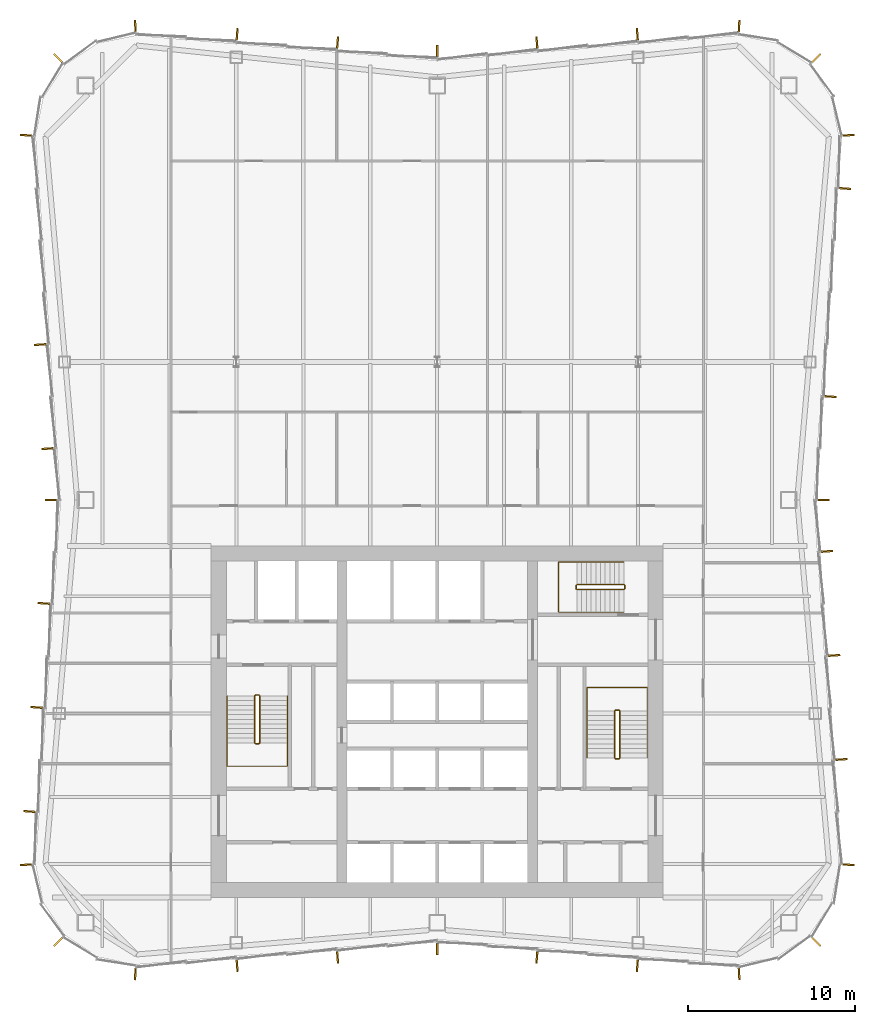
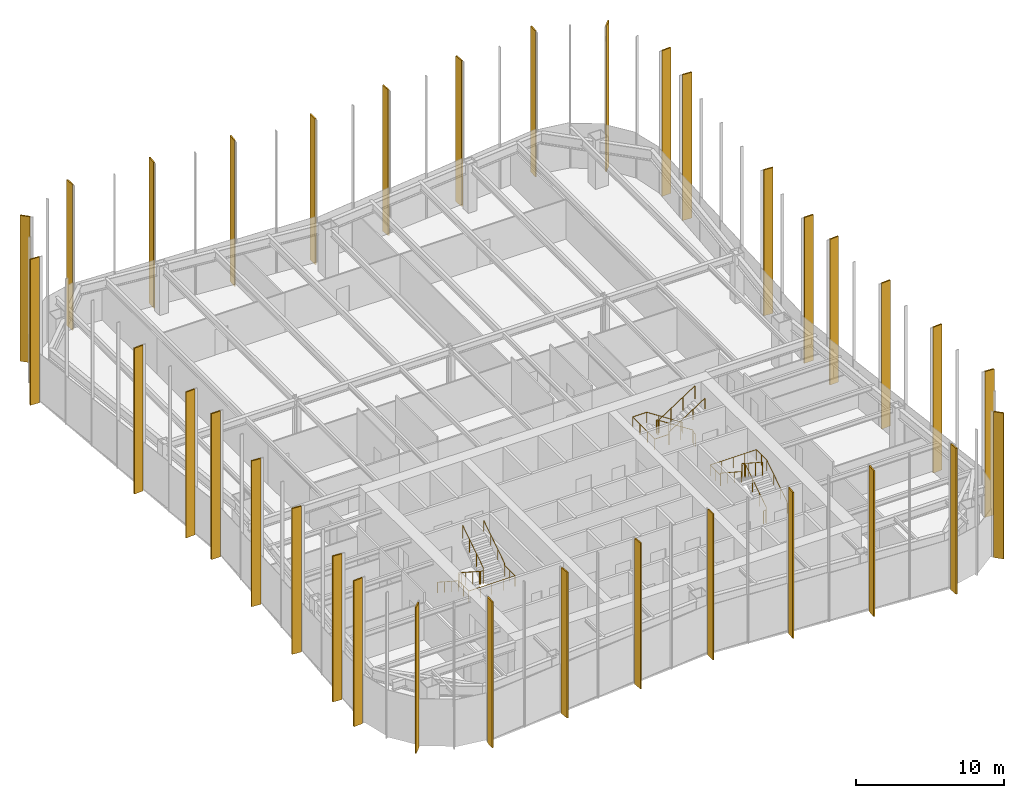
# One storey, part 13 of 13: 34 shading devices, 6 railings.
"""IFC4 building model written with IfcOpenShell, lengths in metres."""

from ifc_helpers import new_model, si_unit, direction, frame, origin, origin_2d, place, context, subcontext, project, spatial, rectangle, circle, extrude, material, layer, layer_set, type_object, element, save


model = new_model("IFC4")

# Units and contexts
model_context = context("Model", 3, precision=1e-05, world=origin(), true_north=direction((0.0, 1.0)))
body_context = subcontext(model_context, "Body", "Model", "MODEL_VIEW")
ifc_project = project(units=[si_unit("LENGTHUNIT", "METRE"), si_unit("AREAUNIT", "SQUARE_METRE"), si_unit("VOLUMEUNIT", "CUBIC_METRE"), si_unit("PLANEANGLEUNIT", "RADIAN"), si_unit("MASSUNIT", "GRAM", prefix="KILO")], contexts=[model_context])

# Site, building, storey
site_placement = place(None, origin())
site = spatial("IfcSite", under=ifc_project, at=site_placement, CompositionType="ELEMENT")
building_placement = place(site_placement, origin())
building = spatial("IfcBuilding", under=site, at=building_placement, Name="Verdant Reach Tower", CompositionType="ELEMENT")
storey_placement = place(building_placement, frame((0.0, 0.0, 182.0)))
storey = spatial("IfcBuildingStorey", under=building, at=storey_placement, Name="L41", CompositionType="ELEMENT", Elevation=182.0)

# Railings
ifc_material_1 = material(Name="Stainless steel", Category="steel")
railing_type_1 = type_object("IfcRailingType", Name="CO-GUARD", PredefinedType="GUARDRAIL", material=ifc_material_1)
railing_1_placement = place(storey_placement, frame((-10.64990234375, 29.60009765625, 0.0)))
element("IfcRailing", 1, at=railing_1_placement, inside=storey, type_object=railing_type_1, Name="L41 ST-1 stair guard 1", PredefinedType="GUARDRAIL", context=body_context, shape_type="SweptSolid", body=[
    extrude(circle(Radius=0.02392578125, at=origin_2d()), frame((0.0, 0.0, 1.076171875), z_axis=(-1.0, 0.0, 0.0), x_axis=(0.0, -1.0, 0.0)), (0.0, 0.0, 1.0), 0.2001953125),
    extrude(circle(Radius=0.02392578125, at=origin_2d()), frame((-0.2001953125, 0.0, 1.076171875), z_axis=(-0.25526617399, -0.256517478764, 0.932222056972), x_axis=(0.708833529934, -0.705375805398, 0.0)), (0.0, 0.0, 1.0), 0.195068359375),
    extrude(circle(Radius=0.02392578125, at=origin_2d()), frame((-0.25, -0.050048828125, 1.2578125), z_axis=(0.0, -0.838705829183, 0.544584733623), x_axis=(1.0, 0.0, 0.0)), (0.0, 0.0, 1.0), 3.338623046875),
    extrude(circle(Radius=0.02392578125, at=origin_2d()), frame((-0.25, -2.85009765625, 3.076171875), z_axis=(0.705375805398, -0.708833529934, 0.0), x_axis=(0.708833529934, 0.705375805398, 0.0)), (0.0, 0.0, 1.0), 0.070556640625),
    extrude(circle(Radius=0.02392578125, at=origin_2d()), frame((-0.2001953125, -2.900146484375, 3.076171875), z_axis=(1.0, 0.0, 0.0), x_axis=(0.0, 1.0, 0.0)), (0.0, 0.0, 1.0), 0.2001953125),
    extrude(circle(Radius=0.02392578125, at=origin_2d()), frame((0.0, -2.900146484375, 3.076171875), z_axis=(0.25526617399, 0.256517478764, 0.932222056972), x_axis=(-0.708833529934, 0.705375805398, 0.0)), (0.0, 0.0, 1.0), 0.195068359375),
    extrude(circle(Radius=0.02392578125, at=origin_2d()), frame((0.0498046875, -2.85009765625, 3.2578125), z_axis=(0.0, 0.838705829183, 0.544584733623), x_axis=(-1.0, 0.0, 0.0)), (0.0, 0.0, 1.0), 3.338623046875),
    extrude(circle(Radius=0.02099609375, at=origin_2d()), origin(), (0.0, 0.0, 1.0), 1.052001953125),
    extrude(circle(Radius=0.02099609375, at=origin_2d()), frame((-0.2001953125, 0.0, 0.0)), (0.0, 0.0, 1.0), 1.052001953125),
    extrude(circle(Radius=0.02099609375, at=origin_2d()), frame((-0.25, -0.050048828125, 0.181884765625)), (0.0, 0.0, 1.0), 1.052001953125),
    extrude(circle(Radius=0.02099609375, at=origin_2d()), frame((-0.25, -0.9833984375, 0.787841796875)), (0.0, 0.0, 1.0), 1.052001953125),
    extrude(circle(Radius=0.02099609375, at=origin_2d()), frame((-0.25, -1.916748046875, 1.39404296875)), (0.0, 0.0, 1.0), 1.052001953125),
    extrude(circle(Radius=0.02099609375, at=origin_2d()), frame((-0.25, -2.85009765625, 2.0)), (0.0, 0.0, 1.0), 1.052001953125),
    extrude(circle(Radius=0.02099609375, at=origin_2d()), frame((-0.2001953125, -2.900146484375, 2.0)), (0.0, 0.0, 1.0), 1.052001953125),
    extrude(circle(Radius=0.02099609375, at=origin_2d()), frame((0.0, -2.900146484375, 2.0)), (0.0, 0.0, 1.0), 1.052001953125),
    extrude(circle(Radius=0.02099609375, at=origin_2d()), frame((0.0498046875, -2.85009765625, 2.181884765625)), (0.0, 0.0, 1.0), 1.052001953125),
    extrude(circle(Radius=0.02099609375, at=origin_2d()), frame((0.0498046875, -1.916748046875, 2.787841796875)), (0.0, 0.0, 1.0), 1.052001953125),
    extrude(circle(Radius=0.02099609375, at=origin_2d()), frame((0.0498046875, -0.9833984375, 3.39404296875)), (0.0, 0.0, 1.0), 1.052001953125),
    extrude(circle(Radius=0.02099609375, at=origin_2d()), frame((0.0498046875, -0.050048828125, 4.0)), (0.0, 0.0, 1.0), 1.052001953125),
])
railing_2_placement = place(storey_placement, frame((10.64990234375, 25.800048828125, 0.0)))
element("IfcRailing", 2, at=railing_2_placement, inside=storey, type_object=railing_type_1, Name="L41 ST-2 stair guard 1", PredefinedType="GUARDRAIL", context=body_context, shape_type="SweptSolid", body=[
    extrude(circle(Radius=0.02392578125, at=origin_2d()), frame((0.0, 0.0, 1.076171875), z_axis=(1.0, 0.0, 0.0), x_axis=(0.0, 1.0, 0.0)), (0.0, 0.0, 1.0), 0.2001953125),
    extrude(circle(Radius=0.02392578125, at=origin_2d()), frame((0.2001953125, 0.0, 1.076171875), z_axis=(0.25526617399, 0.256517478764, 0.932222056972), x_axis=(-0.708833529934, 0.705375805398, 0.0)), (0.0, 0.0, 1.0), 0.195068359375),
    extrude(circle(Radius=0.02392578125, at=origin_2d()), frame((0.25, 0.050048828125, 1.2578125), z_axis=(0.0, 0.83868413941, 0.544618136222), x_axis=(-1.0, 0.0, 0.0)), (0.0, 0.0, 1.0), 3.33837890625),
    extrude(circle(Radius=0.02392578125, at=origin_2d()), frame((0.25, 2.849853515625, 3.076171875), z_axis=(-0.705375805398, 0.708833529934, 0.0), x_axis=(-0.708833529934, -0.705375805398, 0.0)), (0.0, 0.0, 1.0), 0.070556640625),
    extrude(circle(Radius=0.02392578125, at=origin_2d()), frame((0.2001953125, 2.89990234375, 3.076171875), z_axis=(-1.0, 0.0, 0.0), x_axis=(0.0, -1.0, 0.0)), (0.0, 0.0, 1.0), 0.2001953125),
    extrude(circle(Radius=0.02392578125, at=origin_2d()), frame((0.0, 2.89990234375, 3.076171875), z_axis=(-0.25526617399, -0.256517478764, 0.932222056972), x_axis=(0.708833529934, -0.705375805398, 0.0)), (0.0, 0.0, 1.0), 0.195068359375),
    extrude(circle(Radius=0.02392578125, at=origin_2d()), frame((-0.0498046875, 2.849853515625, 3.2578125), z_axis=(0.0, -0.83868413941, 0.544618136222), x_axis=(1.0, 0.0, 0.0)), (0.0, 0.0, 1.0), 3.33837890625),
    extrude(circle(Radius=0.02099609375, at=origin_2d()), origin(), (0.0, 0.0, 1.0), 1.052001953125),
    extrude(circle(Radius=0.02099609375, at=origin_2d()), frame((0.2001953125, 0.0, 0.0)), (0.0, 0.0, 1.0), 1.052001953125),
    extrude(circle(Radius=0.02099609375, at=origin_2d()), frame((0.25, 0.050048828125, 0.181884765625)), (0.0, 0.0, 1.0), 1.052001953125),
    extrude(circle(Radius=0.02099609375, at=origin_2d()), frame((0.25, 0.9833984375, 0.787841796875)), (0.0, 0.0, 1.0), 1.052001953125),
    extrude(circle(Radius=0.02099609375, at=origin_2d()), frame((0.25, 1.91650390625, 1.39404296875)), (0.0, 0.0, 1.0), 1.052001953125),
    extrude(circle(Radius=0.02099609375, at=origin_2d()), frame((0.25, 2.849853515625, 2.0)), (0.0, 0.0, 1.0), 1.052001953125),
    extrude(circle(Radius=0.02099609375, at=origin_2d()), frame((0.2001953125, 2.89990234375, 2.0)), (0.0, 0.0, 1.0), 1.052001953125),
    extrude(circle(Radius=0.02099609375, at=origin_2d()), frame((0.0, 2.89990234375, 2.0)), (0.0, 0.0, 1.0), 1.052001953125),
    extrude(circle(Radius=0.02099609375, at=origin_2d()), frame((-0.0498046875, 2.849853515625, 2.181884765625)), (0.0, 0.0, 1.0), 1.052001953125),
    extrude(circle(Radius=0.02099609375, at=origin_2d()), frame((-0.0498046875, 1.91650390625, 2.787841796875)), (0.0, 0.0, 1.0), 1.052001953125),
    extrude(circle(Radius=0.02099609375, at=origin_2d()), frame((-0.0498046875, 0.9833984375, 3.39404296875)), (0.0, 0.0, 1.0), 1.052001953125),
    extrude(circle(Radius=0.02099609375, at=origin_2d()), frame((-0.0498046875, 0.050048828125, 4.0)), (0.0, 0.0, 1.0), 1.052001953125),
])
railing_3_placement = place(storey_placement, frame((11.199951171875, 35.949951171875, 0.0)))
element("IfcRailing", 3, at=railing_3_placement, inside=storey, type_object=railing_type_1, Name="L41 ST-3 stair guard 1", PredefinedType="GUARDRAIL", context=body_context, shape_type="SweptSolid", body=[
    extrude(circle(Radius=0.02392578125, at=origin_2d()), frame((0.0, 0.0, 1.076171875), z_axis=(0.0, 1.0, 0.0), x_axis=(-1.0, 0.0, 0.0)), (0.0, 0.0, 1.0), 0.199951171875),
    extrude(circle(Radius=0.02392578125, at=origin_2d()), frame((0.0, 0.199951171875, 1.076171875), z_axis=(-0.256435381639, 0.256435381639, 0.931923704005), x_axis=(-0.707106781187, -0.707106781187, 0.0)), (0.0, 0.0, 1.0), 0.195068359375),
    extrude(circle(Radius=0.02392578125, at=origin_2d()), frame((-0.050048828125, 0.25, 1.2578125), z_axis=(-0.83868413941, 0.0, 0.544618136222), x_axis=(0.0, -1.0, 0.0)), (0.0, 0.0, 1.0), 3.33837890625),
    extrude(circle(Radius=0.02392578125, at=origin_2d()), frame((-2.849853515625, 0.25, 3.076171875), z_axis=(-0.707106781187, -0.707106781187, 0.0), x_axis=(0.707106781187, -0.707106781187, 0.0)), (0.0, 0.0, 1.0), 0.07080078125),
    extrude(circle(Radius=0.02392578125, at=origin_2d()), frame((-2.89990234375, 0.199951171875, 3.076171875), z_axis=(0.0, -1.0, 0.0), x_axis=(1.0, 0.0, 0.0)), (0.0, 0.0, 1.0), 0.199951171875),
    extrude(circle(Radius=0.02392578125, at=origin_2d()), frame((-2.89990234375, 0.0, 3.076171875), z_axis=(0.256435381639, -0.256435381639, 0.931923704005), x_axis=(0.707106781187, 0.707106781187, 0.0)), (0.0, 0.0, 1.0), 0.195068359375),
    extrude(circle(Radius=0.02392578125, at=origin_2d()), frame((-2.849853515625, -0.050048828125, 3.2578125), z_axis=(0.83868413941, 0.0, 0.544618136222), x_axis=(0.0, 1.0, 0.0)), (0.0, 0.0, 1.0), 3.33837890625),
    extrude(circle(Radius=0.02099609375, at=origin_2d()), origin(), (0.0, 0.0, 1.0), 1.052001953125),
    extrude(circle(Radius=0.02099609375, at=origin_2d()), frame((0.0, 0.199951171875, 0.0)), (0.0, 0.0, 1.0), 1.052001953125),
    extrude(circle(Radius=0.02099609375, at=origin_2d()), frame((-0.050048828125, 0.25, 0.181884765625)), (0.0, 0.0, 1.0), 1.052001953125),
    extrude(circle(Radius=0.02099609375, at=origin_2d()), frame((-0.9833984375, 0.25, 0.787841796875)), (0.0, 0.0, 1.0), 1.052001953125),
    extrude(circle(Radius=0.02099609375, at=origin_2d()), frame((-1.91650390625, 0.25, 1.39404296875)), (0.0, 0.0, 1.0), 1.052001953125),
    extrude(circle(Radius=0.02099609375, at=origin_2d()), frame((-2.849853515625, 0.25, 2.0)), (0.0, 0.0, 1.0), 1.052001953125),
    extrude(circle(Radius=0.02099609375, at=origin_2d()), frame((-2.89990234375, 0.199951171875, 2.0)), (0.0, 0.0, 1.0), 1.052001953125),
    extrude(circle(Radius=0.02099609375, at=origin_2d()), frame((-2.89990234375, 0.0, 2.0)), (0.0, 0.0, 1.0), 1.052001953125),
    extrude(circle(Radius=0.02099609375, at=origin_2d()), frame((-2.849853515625, -0.050048828125, 2.181884765625)), (0.0, 0.0, 1.0), 1.052001953125),
    extrude(circle(Radius=0.02099609375, at=origin_2d()), frame((-1.91650390625, -0.050048828125, 2.787841796875)), (0.0, 0.0, 1.0), 1.052001953125),
    extrude(circle(Radius=0.02099609375, at=origin_2d()), frame((-0.9833984375, -0.050048828125, 3.39404296875)), (0.0, 0.0, 1.0), 1.052001953125),
    extrude(circle(Radius=0.02099609375, at=origin_2d()), frame((-0.050048828125, -0.050048828125, 4.0)), (0.0, 0.0, 1.0), 1.052001953125),
])
railing_type_2 = type_object("IfcRailingType", Name="CO-HANDRAIL", PredefinedType="HANDRAIL", material=ifc_material_1)
railing_4_placement = place(storey_placement, frame((-12.550048828125, 29.550048828125, 0.181884765625)))
element("IfcRailing", 4, at=railing_4_placement, inside=storey, type_object=railing_type_2, Name="L41 ST-1 stair handrail 1", PredefinedType="HANDRAIL", context=body_context, shape_type="SweptSolid", body=[
    extrude(circle(Radius=0.02392578125, at=origin_2d()), frame((0.0, 0.0, 0.8759765625), z_axis=(0.0, -0.838705829183, 0.544584733623), x_axis=(1.0, 0.0, 0.0)), (0.0, 0.0, 1.0), 3.338623046875),
    extrude(circle(Radius=0.02392578125, at=origin_2d()), frame((0.0, -2.800048828125, 2.69384765625), z_axis=(0.0, -1.0, 0.0), x_axis=(1.0, 0.0, 0.0)), (0.0, 0.0, 1.0), 1.39990234375),
    extrude(circle(Radius=0.02392578125, at=origin_2d()), frame((0.0, -4.199951171875, 2.69384765625), z_axis=(1.0, 0.0, 0.0), x_axis=(0.0, 1.0, 0.0)), (0.0, 0.0, 1.0), 3.60009765625),
    extrude(circle(Radius=0.02392578125, at=origin_2d()), frame((3.60009765625, -4.199951171875, 2.69384765625), z_axis=(0.0, 1.0, 0.0), x_axis=(-1.0, 0.0, 0.0)), (0.0, 0.0, 1.0), 1.39990234375),
    extrude(circle(Radius=0.02392578125, at=origin_2d()), frame((3.60009765625, -2.800048828125, 2.69384765625), z_axis=(0.0, 0.0, 1.0), x_axis=(1.0, 0.0, 0.0)), (0.0, 0.0, 1.0), 0.181884765625),
    extrude(circle(Radius=0.02392578125, at=origin_2d()), frame((3.60009765625, -2.800048828125, 2.8759765625), z_axis=(0.0, 0.838705829183, 0.544584733623), x_axis=(-1.0, 0.0, 0.0)), (0.0, 0.0, 1.0), 3.338623046875),
    extrude(circle(Radius=0.02099609375, at=origin_2d()), origin(), (0.0, 0.0, 1.0), 0.851806640625),
    extrude(circle(Radius=0.02099609375, at=origin_2d()), frame((0.0, -0.933349609375, 0.60595703125)), (0.0, 0.0, 1.0), 0.851806640625),
    extrude(circle(Radius=0.02099609375, at=origin_2d()), frame((0.0, -1.86669921875, 1.212158203125)), (0.0, 0.0, 1.0), 0.851806640625),
    extrude(circle(Radius=0.02099609375, at=origin_2d()), frame((0.0, -2.800048828125, 1.818115234375)), (0.0, 0.0, 1.0), 0.851806640625),
    extrude(circle(Radius=0.02099609375, at=origin_2d()), frame((0.0, -3.5, 1.818115234375)), (0.0, 0.0, 1.0), 0.851806640625),
    extrude(circle(Radius=0.02099609375, at=origin_2d()), frame((0.0, -4.199951171875, 1.818115234375)), (0.0, 0.0, 1.0), 0.851806640625),
    extrude(circle(Radius=0.02099609375, at=origin_2d()), frame((0.89990234375, -4.199951171875, 1.818115234375)), (0.0, 0.0, 1.0), 0.851806640625),
    extrude(circle(Radius=0.02099609375, at=origin_2d()), frame((1.800048828125, -4.199951171875, 1.818115234375)), (0.0, 0.0, 1.0), 0.851806640625),
    extrude(circle(Radius=0.02099609375, at=origin_2d()), frame((2.7001953125, -4.199951171875, 1.818115234375)), (0.0, 0.0, 1.0), 0.851806640625),
    extrude(circle(Radius=0.02099609375, at=origin_2d()), frame((3.60009765625, -4.199951171875, 1.818115234375)), (0.0, 0.0, 1.0), 0.851806640625),
    extrude(circle(Radius=0.02099609375, at=origin_2d()), frame((3.60009765625, -3.5, 1.818115234375)), (0.0, 0.0, 1.0), 0.851806640625),
    extrude(circle(Radius=0.02099609375, at=origin_2d()), frame((3.60009765625, -2.800048828125, 1.818115234375)), (0.0, 0.0, 1.0), 0.851806640625),
    extrude(circle(Radius=0.02099609375, at=origin_2d()), frame((3.60009765625, -2.800048828125, 2.0)), (0.0, 0.0, 1.0), 0.851806640625),
    extrude(circle(Radius=0.02099609375, at=origin_2d()), frame((3.60009765625, -1.86669921875, 2.60595703125)), (0.0, 0.0, 1.0), 0.851806640625),
    extrude(circle(Radius=0.02099609375, at=origin_2d()), frame((3.60009765625, -0.933349609375, 3.212158203125)), (0.0, 0.0, 1.0), 0.851806640625),
    extrude(circle(Radius=0.02099609375, at=origin_2d()), frame((3.60009765625, 0.0, 3.818115234375)), (0.0, 0.0, 1.0), 0.851806640625),
])
railing_5_placement = place(storey_placement, frame((12.550048828125, 25.85009765625, 0.181884765625)))
element("IfcRailing", 5, at=railing_5_placement, inside=storey, type_object=railing_type_2, Name="L41 ST-2 stair handrail 1", PredefinedType="HANDRAIL", context=body_context, shape_type="SweptSolid", body=[
    extrude(circle(Radius=0.02392578125, at=origin_2d()), frame((0.0, 0.0, 0.8759765625), z_axis=(0.0, 0.83868413941, 0.544618136222), x_axis=(-1.0, 0.0, 0.0)), (0.0, 0.0, 1.0), 3.33837890625),
    extrude(circle(Radius=0.02392578125, at=origin_2d()), frame((0.0, 2.7998046875, 2.69384765625), z_axis=(0.0, 1.0, 0.0), x_axis=(-1.0, 0.0, 0.0)), (0.0, 0.0, 1.0), 1.400146484375),
    extrude(circle(Radius=0.02392578125, at=origin_2d()), frame((0.0, 4.199951171875, 2.69384765625), z_axis=(-1.0, 0.0, 0.0), x_axis=(0.0, -1.0, 0.0)), (0.0, 0.0, 1.0), 3.60009765625),
    extrude(circle(Radius=0.02392578125, at=origin_2d()), frame((-3.60009765625, 4.199951171875, 2.69384765625), z_axis=(0.0, -1.0, 0.0), x_axis=(1.0, 0.0, 0.0)), (0.0, 0.0, 1.0), 1.400146484375),
    extrude(circle(Radius=0.02392578125, at=origin_2d()), frame((-3.60009765625, 2.7998046875, 2.69384765625), z_axis=(0.0, 0.0, 1.0), x_axis=(1.0, 0.0, 0.0)), (0.0, 0.0, 1.0), 0.181884765625),
    extrude(circle(Radius=0.02392578125, at=origin_2d()), frame((-3.60009765625, 2.7998046875, 2.8759765625), z_axis=(0.0, -0.83868413941, 0.544618136222), x_axis=(1.0, 0.0, 0.0)), (0.0, 0.0, 1.0), 3.33837890625),
    extrude(circle(Radius=0.02099609375, at=origin_2d()), origin(), (0.0, 0.0, 1.0), 0.851806640625),
    extrude(circle(Radius=0.02099609375, at=origin_2d()), frame((0.0, 0.933349609375, 0.60595703125)), (0.0, 0.0, 1.0), 0.851806640625),
    extrude(circle(Radius=0.02099609375, at=origin_2d()), frame((0.0, 1.866455078125, 1.212158203125)), (0.0, 0.0, 1.0), 0.851806640625),
    extrude(circle(Radius=0.02099609375, at=origin_2d()), frame((0.0, 2.7998046875, 1.818115234375)), (0.0, 0.0, 1.0), 0.851806640625),
    extrude(circle(Radius=0.02099609375, at=origin_2d()), frame((0.0, 3.5, 1.818115234375)), (0.0, 0.0, 1.0), 0.851806640625),
    extrude(circle(Radius=0.02099609375, at=origin_2d()), frame((0.0, 4.199951171875, 1.818115234375)), (0.0, 0.0, 1.0), 0.851806640625),
    extrude(circle(Radius=0.02099609375, at=origin_2d()), frame((-0.89990234375, 4.199951171875, 1.818115234375)), (0.0, 0.0, 1.0), 0.851806640625),
    extrude(circle(Radius=0.02099609375, at=origin_2d()), frame((-1.800048828125, 4.199951171875, 1.818115234375)), (0.0, 0.0, 1.0), 0.851806640625),
    extrude(circle(Radius=0.02099609375, at=origin_2d()), frame((-2.7001953125, 4.199951171875, 1.818115234375)), (0.0, 0.0, 1.0), 0.851806640625),
    extrude(circle(Radius=0.02099609375, at=origin_2d()), frame((-3.60009765625, 4.199951171875, 1.818115234375)), (0.0, 0.0, 1.0), 0.851806640625),
    extrude(circle(Radius=0.02099609375, at=origin_2d()), frame((-3.60009765625, 3.5, 1.818115234375)), (0.0, 0.0, 1.0), 0.851806640625),
    extrude(circle(Radius=0.02099609375, at=origin_2d()), frame((-3.60009765625, 2.7998046875, 1.818115234375)), (0.0, 0.0, 1.0), 0.851806640625),
    extrude(circle(Radius=0.02099609375, at=origin_2d()), frame((-3.60009765625, 2.7998046875, 2.0)), (0.0, 0.0, 1.0), 0.851806640625),
    extrude(circle(Radius=0.02099609375, at=origin_2d()), frame((-3.60009765625, 1.866455078125, 2.60595703125)), (0.0, 0.0, 1.0), 0.851806640625),
    extrude(circle(Radius=0.02099609375, at=origin_2d()), frame((-3.60009765625, 0.933349609375, 3.212158203125)), (0.0, 0.0, 1.0), 0.851806640625),
    extrude(circle(Radius=0.02099609375, at=origin_2d()), frame((-3.60009765625, 0.0, 3.818115234375)), (0.0, 0.0, 1.0), 0.851806640625),
])
railing_6_placement = place(storey_placement, frame((11.14990234375, 37.550048828125, 0.181884765625)))
element("IfcRailing", 6, at=railing_6_placement, inside=storey, type_object=railing_type_2, Name="L41 ST-3 stair handrail 1", PredefinedType="HANDRAIL", context=body_context, shape_type="SweptSolid", body=[
    extrude(circle(Radius=0.02392578125, at=origin_2d()), frame((0.0, 0.0, 0.8759765625), z_axis=(-0.83868413941, 0.0, 0.544618136222), x_axis=(0.0, -1.0, 0.0)), (0.0, 0.0, 1.0), 3.33837890625),
    extrude(circle(Radius=0.02392578125, at=origin_2d()), frame((-2.7998046875, 0.0, 2.69384765625), z_axis=(-1.0, 0.0, 0.0), x_axis=(0.0, -1.0, 0.0)), (0.0, 0.0, 1.0), 1.10009765625),
    extrude(circle(Radius=0.02392578125, at=origin_2d()), frame((-3.89990234375, 0.0, 2.69384765625), z_axis=(0.0, -1.0, 0.0), x_axis=(1.0, 0.0, 0.0)), (0.0, 0.0, 1.0), 3.0),
    extrude(circle(Radius=0.02392578125, at=origin_2d()), frame((-3.89990234375, -3.0, 2.69384765625), z_axis=(1.0, 0.0, 0.0), x_axis=(0.0, 1.0, 0.0)), (0.0, 0.0, 1.0), 1.10009765625),
    extrude(circle(Radius=0.02392578125, at=origin_2d()), frame((-2.7998046875, -3.0, 2.69384765625), z_axis=(0.0, 0.0, 1.0), x_axis=(1.0, 0.0, 0.0)), (0.0, 0.0, 1.0), 0.181884765625),
    extrude(circle(Radius=0.02392578125, at=origin_2d()), frame((-2.7998046875, -3.0, 2.8759765625), z_axis=(0.83868413941, 0.0, 0.544618136222), x_axis=(0.0, 1.0, 0.0)), (0.0, 0.0, 1.0), 3.33837890625),
    extrude(circle(Radius=0.02099609375, at=origin_2d()), origin(), (0.0, 0.0, 1.0), 0.851806640625),
    extrude(circle(Radius=0.02099609375, at=origin_2d()), frame((-0.933349609375, 0.0, 0.60595703125)), (0.0, 0.0, 1.0), 0.851806640625),
    extrude(circle(Radius=0.02099609375, at=origin_2d()), frame((-1.866455078125, 0.0, 1.212158203125)), (0.0, 0.0, 1.0), 0.851806640625),
    extrude(circle(Radius=0.02099609375, at=origin_2d()), frame((-2.7998046875, 0.0, 1.818115234375)), (0.0, 0.0, 1.0), 0.851806640625),
    extrude(circle(Radius=0.02099609375, at=origin_2d()), frame((-3.89990234375, 0.0, 1.818115234375)), (0.0, 0.0, 1.0), 0.851806640625),
    extrude(circle(Radius=0.02099609375, at=origin_2d()), frame((-3.89990234375, -1.0, 1.818115234375)), (0.0, 0.0, 1.0), 0.851806640625),
    extrude(circle(Radius=0.02099609375, at=origin_2d()), frame((-3.89990234375, -2.0, 1.818115234375)), (0.0, 0.0, 1.0), 0.851806640625),
    extrude(circle(Radius=0.02099609375, at=origin_2d()), frame((-3.89990234375, -3.0, 1.818115234375)), (0.0, 0.0, 1.0), 0.851806640625),
    extrude(circle(Radius=0.02099609375, at=origin_2d()), frame((-2.7998046875, -3.0, 1.818115234375)), (0.0, 0.0, 1.0), 0.851806640625),
    extrude(circle(Radius=0.02099609375, at=origin_2d()), frame((-2.7998046875, -3.0, 2.0)), (0.0, 0.0, 1.0), 0.851806640625),
    extrude(circle(Radius=0.02099609375, at=origin_2d()), frame((-1.866455078125, -3.0, 2.60595703125)), (0.0, 0.0, 1.0), 0.851806640625),
    extrude(circle(Radius=0.02099609375, at=origin_2d()), frame((-0.933349609375, -3.0, 3.212158203125)), (0.0, 0.0, 1.0), 0.851806640625),
    extrude(circle(Radius=0.02099609375, at=origin_2d()), frame((0.0, -3.0, 3.818115234375)), (0.0, 0.0, 1.0), 0.851806640625),
])

# Shading devices
ifc_material_2 = material(Name="Bronze fin, champagne", Category="aluminium")
ifc_layer_1 = layer(ifc_material_2, 0.10009765625)
ifc_layer_set_1 = layer_set([ifc_layer_1], Name="EN-FIN CHAMPAGNE")
shading_device_type_1 = type_object("IfcShadingDeviceType", Name="EN-FIN CHAMPAGNE", PredefinedType="USERDEFINED", material=ifc_layer_set_1)
for number, where, z_axis, x_axis, name in (
    (7, (18.0322265625, 12.932861328125, -0.35009765625), (0.0, 0.0, 1.0), (0.998398681387, 0.056569187765, 0.0), "Fin south-east corner 1, L41"),
    (8, (22.644287109375, 14.855712890625, -0.35009765625), (0.0, 0.0, 1.0), (0.707106781187, 0.707106781187, 0.0), "Fin south-east corner 3, L41"),
    (9, (24.56689453125, 19.4638671875, -0.35009765625), (0.0, 0.0, 1.0), (0.063698618332, 0.997969180898, 0.0), "Fin east face part 1 1, L41"),
    (10, (23.281005859375, 38.181884765625, -0.35009765625), (0.0, 0.0, 1.0), (-0.068802091615, 0.997630328423, 0.0), "Fin east face part 1 7, L41"),
    (11, (23.068115234375, 41.25, -0.35009765625), (0.0, 0.0, 1.0), (0.0, 1.0, 0.0), "Fin east face part 2 1, L41"),
    (12, (24.56689453125, 63.0361328125, -0.35009765625), (0.0, 0.0, 1.0), (-0.063698618332, 0.997969180898, 0.0), "Fin north-east corner 1, L41"),
    (13, (5.952880859375, 68.56591796875, -0.35009765625), (0.0, 0.0, 1.0), (-0.996545758244, -0.083045479859, 0.0), "Fin north face part 1 5, L41"),
    (14, (0.0, 68.068115234375, -0.35009765625), (0.0, 0.0, 1.0), (-1.0, 0.0, 0.0), "Fin north face part 2 1, L41"),
    (15, (-23.70947265625, 50.532470703125, -0.35009765625), (0.0, 0.0, 1.0), (0.068802091615, -0.997630328423, 0.0), "Fin west face part 1 5, L41"),
    (16, (-23.923828125, 28.860595703125, -0.35009765625), (0.0, 0.0, 1.0), (-0.068802091615, -0.997630328423, 0.0), "Fin west face part 2 5, L41"),
    (17, (-22.644287109375, 14.855712890625, -0.35009765625), (0.0, 0.0, 1.0), (0.707106781187, -0.707106781187, 0.0), "Fin south-west corner 3, L41"),
    (18, (-18.0322265625, 12.932861328125, -0.35009765625), (0.0, 0.0, 1.0), (0.998398681387, -0.056569187765, 0.0), "Fin south face part 1 1, L41"),
    (19, (-11.952880859375, 13.43408203125, -0.35009765625), (0.0, 0.0, 1.0), (0.996545758244, 0.083045479859, 0.0), "Fin south face part 1 3, L41"),
    (20, (5.952880859375, 13.93408203125, -0.35009765625), (0.0, 0.0, 1.0), (0.996545758244, -0.083045479859, 0.0), "Fin south face part 2 3, L41"),
):
    element("IfcShadingDevice", number, at=place(storey_placement, frame(where, z_axis=z_axis, x_axis=x_axis)), inside=storey, type_object=shading_device_type_1, Name=name, ObjectType="FIN", PredefinedType="USERDEFINED", context=body_context, shape_type="SweptSolid", body=[
        extrude(rectangle(XDim=0.10009765625, YDim=0.699951171875, at=origin_2d()), origin(), (0.0, 0.0, 1.0), 12.0),
    ])
ifc_material_3 = material(Name="Bronze fin, copper", Category="aluminium")
ifc_layer_2 = layer(ifc_material_3, 0.10009765625)
ifc_layer_set_2 = layer_set([ifc_layer_2], Name="EN-FIN COPPER")
shading_device_type_2 = type_object("IfcShadingDeviceType", Name="EN-FIN COPPER", PredefinedType="USERDEFINED", material=ifc_layer_set_2)
for number, where, z_axis, x_axis, name in (
    (21, (24.13818359375, 25.75341796875, -0.35009765625), (0.0, 0.0, 1.0), (-0.068802091615, 0.997630328423, 0.0), "Fin east face part 1 3, L41"),
    (22, (23.4951171875, 47.42529296875, -0.35009765625), (0.0, 0.0, 1.0), (0.068802091615, 0.997630328423, 0.0), "Fin east face part 2 3, L41"),
    (23, (22.644287109375, 67.644287109375, -0.35009765625), (0.0, 0.0, 1.0), (-0.707106781187, 0.707106781187, 0.0), "Fin north-east corner 3, L41"),
    (24, (18.0322265625, 69.567138671875, -0.35009765625), (0.0, 0.0, 1.0), (-0.998398681387, 0.056569187765, 0.0), "Fin north face part 1 1, L41"),
    (25, (-5.952880859375, 68.56591796875, -0.35009765625), (0.0, 0.0, 1.0), (-0.996545758244, 0.083045479859, 0.0), "Fin north face part 2 3, L41"),
    (26, (-18.0322265625, 69.567138671875, -0.35009765625), (0.0, 0.0, 1.0), (-0.998398681387, -0.056569187765, 0.0), "Fin north-west corner 1, L41"),
    (27, (-23.281005859375, 44.318115234375, -0.35009765625), (0.0, 0.0, 1.0), (0.068802091615, -0.997630328423, 0.0), "Fin west face part 1 7, L41"),
    (28, (-23.068115234375, 41.25, -0.35009765625), (0.0, 0.0, 1.0), (0.0, -1.0, 0.0), "Fin west face part 2 1, L41"),
    (29, (-24.352294921875, 22.646240234375, -0.35009765625), (0.0, 0.0, 1.0), (-0.068802091615, -0.997630328423, 0.0), "Fin west face part 2 7, L41"),
    (30, (-5.952880859375, 13.93408203125, -0.35009765625), (0.0, 0.0, 1.0), (0.996545758244, 0.083045479859, 0.0), "Fin south face part 1 5, L41"),
    (31, (11.952880859375, 13.43408203125, -0.35009765625), (0.0, 0.0, 1.0), (0.996545758244, -0.083045479859, 0.0), "Fin south face part 2 5, L41"),
):
    element("IfcShadingDevice", number, at=place(storey_placement, frame(where, z_axis=z_axis, x_axis=x_axis)), inside=storey, type_object=shading_device_type_2, Name=name, ObjectType="FIN", PredefinedType="USERDEFINED", context=body_context, shape_type="SweptSolid", body=[
        extrude(rectangle(XDim=0.10009765625, YDim=0.699951171875, at=origin_2d()), origin(), (0.0, 0.0, 1.0), 12.0),
    ])
ifc_material_4 = material(Name="Bronze fin, dark bronze", Category="aluminium")
ifc_layer_3 = layer(ifc_material_4, 0.10009765625)
ifc_layer_set_3 = layer_set([ifc_layer_3], Name="EN-FIN DARK")
shading_device_type_3 = type_object("IfcShadingDeviceType", Name="EN-FIN DARK", PredefinedType="USERDEFINED", material=ifc_layer_set_3)
for number, where, z_axis, x_axis, name in (
    (32, (23.70947265625, 31.967529296875, -0.35009765625), (0.0, 0.0, 1.0), (-0.068802091615, 0.997630328423, 0.0), "Fin east face part 1 5, L41"),
    (33, (24.352294921875, 59.853759765625, -0.35009765625), (0.0, 0.0, 1.0), (0.068802091615, 0.997630328423, 0.0), "Fin east face part 2 7, L41"),
    (34, (11.952880859375, 69.06591796875, -0.35009765625), (0.0, 0.0, 1.0), (-0.996545758244, -0.083045479859, 0.0), "Fin north face part 1 3, L41"),
    (35, (-11.952880859375, 69.06591796875, -0.35009765625), (0.0, 0.0, 1.0), (-0.996545758244, 0.083045479859, 0.0), "Fin north face part 2 5, L41"),
    (36, (-22.644287109375, 67.644287109375, -0.35009765625), (0.0, 0.0, 1.0), (-0.707106781187, -0.707106781187, 0.0), "Fin north-west corner 3, L41"),
    (37, (-24.56689453125, 63.0361328125, -0.35009765625), (0.0, 0.0, 1.0), (-0.063698618332, -0.997969180898, 0.0), "Fin west face part 1 1, L41"),
    (38, (-23.4951171875, 35.07470703125, -0.35009765625), (0.0, 0.0, 1.0), (-0.068802091615, -0.997630328423, 0.0), "Fin west face part 2 3, L41"),
    (39, (-24.56689453125, 19.4638671875, -0.35009765625), (0.0, 0.0, 1.0), (0.063698618332, -0.997969180898, 0.0), "Fin south-west corner 1, L41"),
    (40, (0.0, 14.431884765625, -0.35009765625), (0.0, 0.0, 1.0), (1.0, 0.0, 0.0), "Fin south face part 2 1, L41"),
):
    element("IfcShadingDevice", number, at=place(storey_placement, frame(where, z_axis=z_axis, x_axis=x_axis)), inside=storey, type_object=shading_device_type_3, Name=name, ObjectType="FIN", PredefinedType="USERDEFINED", context=body_context, shape_type="SweptSolid", body=[
        extrude(rectangle(XDim=0.10009765625, YDim=0.699951171875, at=origin_2d()), origin(), (0.0, 0.0, 1.0), 12.0),
    ])

save(model, "model.ifc")
